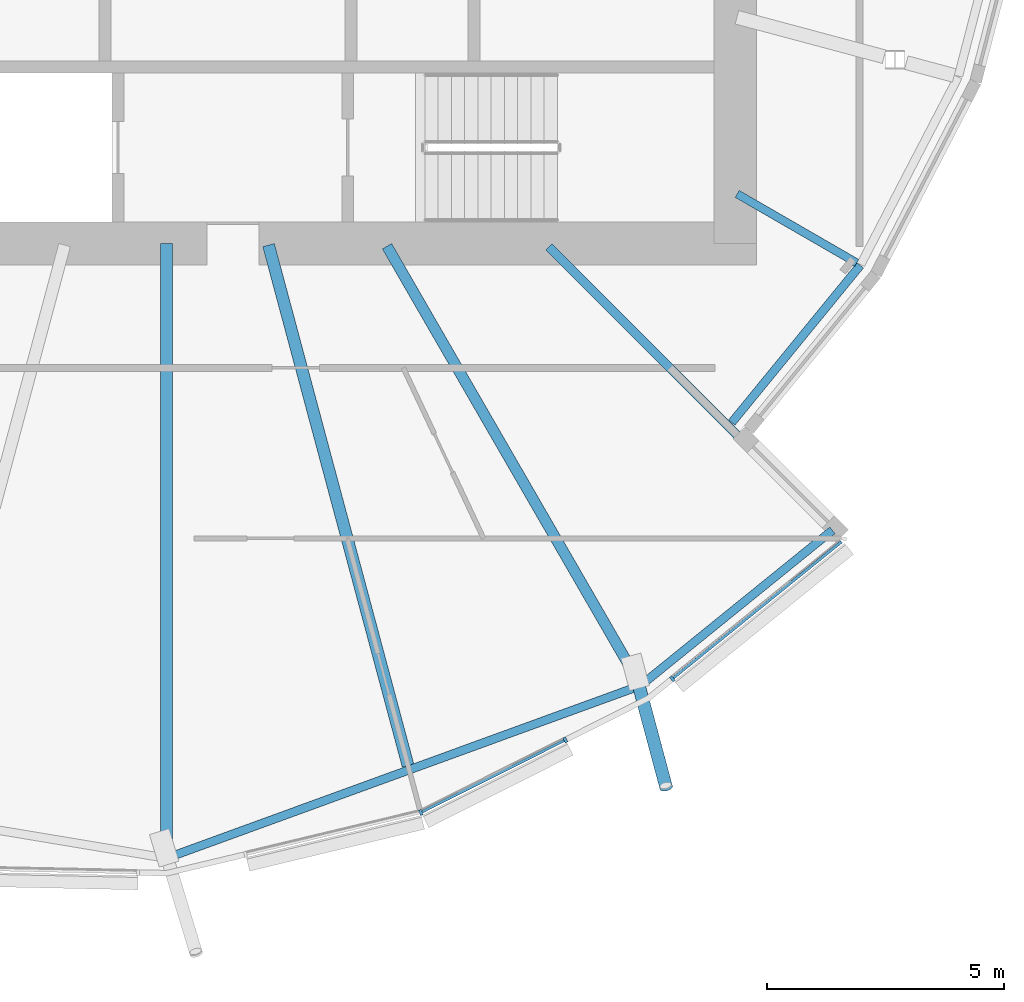
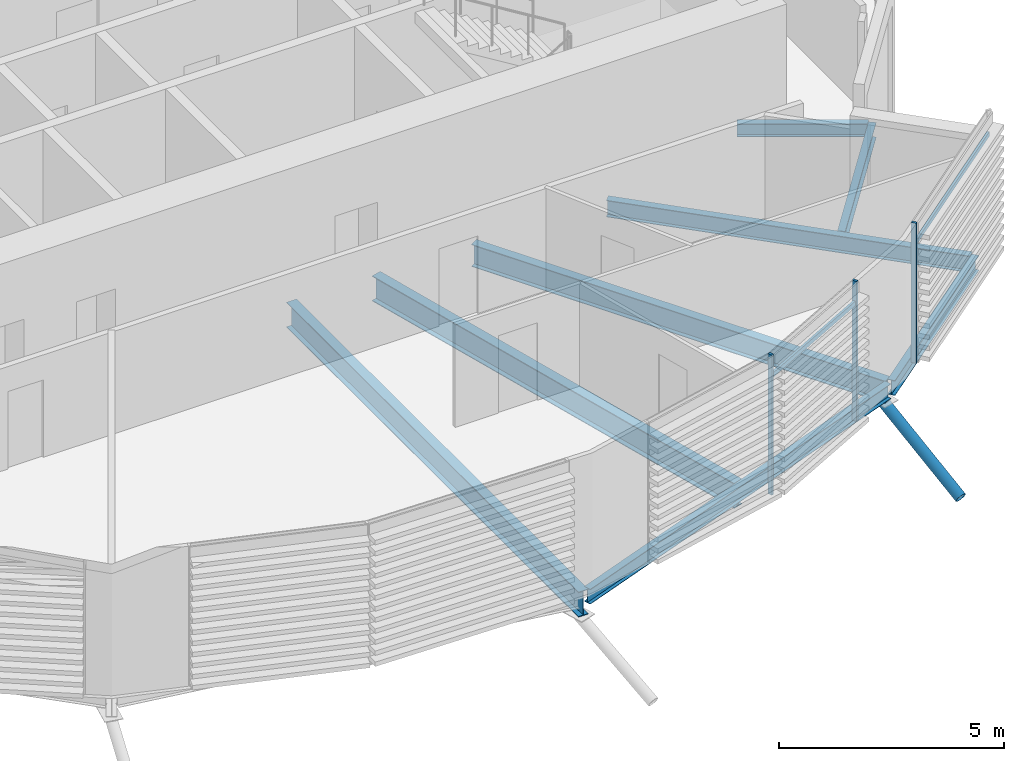
# One storey, part 14 of 37: 8 beams, 6 members, 1 element without a shape of its own.
"""IFC4 building model written with IfcOpenShell, lengths in metres."""

from ifc_helpers import new_model, si_unit, direction, frame, origin, origin_2d, place, context, subcontext, project, spatial, rectangle, hollow_circle, i_section, extrude, clip, halfspace, material, material_profile, profile_set, type_object, element, aggregate, save


model = new_model("IFC4")

# Units and contexts
model_context = context("Model", 3, precision=1e-05, world=origin(), true_north=direction((0.0, 1.0)))
body_context = subcontext(model_context, "Body", "Model", "MODEL_VIEW")
ifc_project = project(units=[si_unit("LENGTHUNIT", "METRE"), si_unit("AREAUNIT", "SQUARE_METRE"), si_unit("VOLUMEUNIT", "CUBIC_METRE"), si_unit("PLANEANGLEUNIT", "RADIAN"), si_unit("MASSUNIT", "GRAM", prefix="KILO")], contexts=[model_context])

# Site, building, storey
site_placement = place(None, origin())
site = spatial("IfcSite", under=ifc_project, at=site_placement, CompositionType="ELEMENT")
building_placement = place(site_placement, origin())
building = spatial("IfcBuilding", under=site, at=building_placement, Name="Rimbun Link Towers", CompositionType="ELEMENT")
storey_placement = place(building_placement, frame((0.0, 0.0, 45.199951171875)))
storey = spatial("IfcBuildingStorey", under=building, at=storey_placement, Name="L10", CompositionType="ELEMENT", Elevation=45.199951171875)

# Curtain wall, members
ifc_material_1 = material(Name="Aluminium 6063-T6 and low-iron glass", Category="aluminium")
curtain_wall_type = type_object("IfcCurtainWallType", Name="CW1 unitised vision wall", PredefinedType="NOTDEFINED", material=ifc_material_1)
curtain_wall_placement = place(storey_placement, origin())
curtain_wall = element("IfcCurtainWall", 1, at=curtain_wall_placement, inside=storey, type_object=curtain_wall_type, Name="CW1 L10 T2", PredefinedType="NOTDEFINED")
ifc_material_2 = material(Name="Aluminium 6063-T6", Category="aluminium")
ifc_material_profile_1 = material_profile(ifc_material_2, rectangle(XDim=0.1201171875, YDim=0.06005859375, at=origin_2d()), Name="MULLION 60X120")
ifc_profile_set_1 = profile_set([ifc_material_profile_1], Name="Aluminium 6063-T6")
member_type_1 = type_object("IfcMemberType", Name="CW1 mullion 60X120", PredefinedType="MULLION", material=ifc_profile_set_1)
member_1_placement = place(storey_placement, frame((37.116943359375, -20.009521484375, 0.0), z_axis=(0.0, 0.0, 1.0), x_axis=(0.342965819961, -0.939347883555, 0.0)))
member_1 = element("IfcMember", 2, at=member_1_placement, type_object=member_type_1, Name="CW1 mullion", PredefinedType="MULLION", context=body_context, shape_type="SweptSolid", body=[
    extrude(rectangle(XDim=0.1201171875, YDim=0.06005859375, at=origin_2d()), origin(), (0.0, 0.0, 1.0), 3.800048828125),
])
member_2_placement = place(storey_placement, frame((40.166748046875, -18.478515625, 0.0), z_axis=(0.0, 0.0, 1.0), x_axis=(0.448766443776, -0.893649080423, 0.0)))
member_2 = element("IfcMember", 3, at=member_2_placement, type_object=member_type_1, Name="CW1 mullion", PredefinedType="MULLION", context=body_context, shape_type="SweptSolid", body=[
    extrude(rectangle(XDim=0.1201171875, YDim=0.06005859375, at=origin_2d()), origin(), (0.0, 0.0, 1.0), 3.800048828125),
])
member_3_placement = place(storey_placement, frame((42.42529296875, -17.1875, 0.0), z_axis=(0.0, 0.0, 1.0), x_axis=(0.629154590729, -0.777280194631, 0.0)))
member_3 = element("IfcMember", 4, at=member_3_placement, type_object=member_type_1, Name="CW1 mullion", PredefinedType="MULLION", context=body_context, shape_type="SweptSolid", body=[
    extrude(rectangle(XDim=0.1201171875, YDim=0.06005859375, at=origin_2d()), origin(), (0.0, 0.0, 1.0), 3.800048828125),
])
ifc_material_3 = material(Name="Aluminium 6063-T6", Category="aluminium")
ifc_material_profile_2 = material_profile(ifc_material_3, rectangle(XDim=0.06005859375, YDim=0.1201171875, at=origin_2d()), Name="TRANSOM 60X120")
ifc_profile_set_2 = profile_set([ifc_material_profile_2], Name="Aluminium 6063-T6")
member_type_2 = type_object("IfcMemberType", Name="CW1 transom 60X120", PredefinedType="USERDEFINED", material=ifc_profile_set_2)
member_4_placement = place(storey_placement, frame((40.138916015625, -18.490234375, 3.199951171875), z_axis=(-0.893666950179, -0.448730857149, 0.0), x_axis=(0.448730857149, -0.893666950179, 0.0)))
member_4 = element("IfcMember", 5, at=member_4_placement, type_object=member_type_2, Name="CW1 transom", ObjectType="TRANSOM", PredefinedType="USERDEFINED", context=body_context, shape_type="SweptSolid", body=[
    extrude(rectangle(XDim=0.06005859375, YDim=0.1201171875, at=origin_2d()), origin(), (0.0, 0.0, 1.0), 3.345458984375),
])
member_5_placement = place(storey_placement, frame((45.994873046875, -14.295654296875, 3.199951171875), z_axis=(-0.777280996809, -0.629153599688, 0.0), x_axis=(0.629153599688, -0.777280996809, 0.0)))
member_5 = element("IfcMember", 6, at=member_5_placement, type_object=member_type_2, Name="CW1 transom", ObjectType="TRANSOM", PredefinedType="USERDEFINED", context=body_context, shape_type="SweptSolid", body=[
    extrude(rectangle(XDim=0.06005859375, YDim=0.1201171875, at=origin_2d()), origin(), (0.0, 0.0, 1.0), 4.563720703125),
])
aggregate(curtain_wall, [member_1, member_2, member_3, member_4, member_5])

# Member
ifc_material_4 = material(Name="Steel S355J2H", Category="steel")
ifc_material_profile_3 = material_profile(ifc_material_4, hollow_circle(Radius=0.136474609375, WallThickness=0.012451171875, at=origin_2d()), Name="CHS 273x12.5")
ifc_profile_set_3 = profile_set([ifc_material_profile_3], Name="Steel S355J2H")
member_type_3 = type_object("IfcMemberType", Name="Floor edge link CHS 273x12.5", PredefinedType="BRACE", material=ifc_profile_set_3)
member_6_placement = place(storey_placement, frame((41.685302734375, -17.20849609375, -0.880615234375), z_axis=(0.224363770028, -0.837211746905, -0.49873579132), x_axis=(0.965916146238, 0.258855168842, 0.0)))
element("IfcMember", 7, at=member_6_placement, inside=storey, type_object=member_type_3, Name="Floor edge link T2 L10 17", PredefinedType="BRACE", context=body_context, shape_type="Clipping", body=[
    clip(extrude(hollow_circle(Radius=0.136474609375, WallThickness=0.012451171875, at=origin_2d()), frame((0.0, 0.0, -0.494384765625)), (0.0, 0.0, 1.0), 3.2138671875), halfspace(frame((0.0, 0.0, -0.232666015625), z_axis=(0.0, 0.866754065728, -0.49873579132)), False)),
])

# Beams
ifc_material_5 = material(Name="Steel S355J2", Category="steel")
ifc_material_profile_4 = material_profile(ifc_material_5, i_section(OverallWidth=0.17138671875, OverallDepth=0.35498046875, WebThickness=0.00732421875, FlangeThickness=0.011474609375, at=origin_2d()), Name="UB 356x171x51")
ifc_profile_set_4 = profile_set([ifc_material_profile_4], Name="Steel S355J2")
beam_type_1 = type_object("IfcBeamType", Name="UB 356x171x51", PredefinedType="BEAM", material=ifc_profile_set_4)
beam_1_placement = place(storey_placement, frame((43.793701171875, -6.95361328125, -0.33740234375), z_axis=(0.866048875712, -0.499959343224, 0.0), x_axis=(0.499959343224, 0.866048875712, 0.0)))
element("IfcBeam", 8, at=beam_1_placement, inside=storey, type_object=beam_type_1, Name="Radial beam T2 L10 19", PredefinedType="BEAM", context=body_context, shape_type="SweptSolid", body=[
    extrude(i_section(OverallWidth=0.17138671875, OverallDepth=0.35498046875, WebThickness=0.00732421875, FlangeThickness=0.011474609375, at=origin_2d()), origin(), (0.0, 0.0, 1.0), 2.914306640625),
])
ifc_material_6 = material(Name="Steel S355J2", Category="steel")
ifc_material_profile_5 = material_profile(ifc_material_6, i_section(OverallWidth=0.177978515625, OverallDepth=0.406494140625, WebThickness=0.0078125, FlangeThickness=0.0126953125, at=origin_2d()), Name="UB 406x178x60")
ifc_profile_set_5 = profile_set([ifc_material_profile_5], Name="Steel S355J2")
beam_type_2 = type_object("IfcBeamType", Name="UB 406x178x60", PredefinedType="BEAM", material=ifc_profile_set_5)
beam_2_placement = place(storey_placement, frame((31.877685546875, -20.92822265625, -0.363037109375), z_axis=(0.939626011614, 0.342203095103, 0.0), x_axis=(-0.342203095103, 0.939626011614, 0.0)))
element("IfcBeam", 9, at=beam_2_placement, inside=storey, type_object=beam_type_2, Name="Edge beam T2 L10 15-17", PredefinedType="BEAM", context=body_context, shape_type="SweptSolid", body=[
    extrude(i_section(OverallWidth=0.177978515625, OverallDepth=0.406494140625, WebThickness=0.0078125, FlangeThickness=0.0126953125, at=origin_2d()), origin(), (0.0, 0.0, 1.0), 10.396240234375),
])
beam_3_placement = place(storey_placement, frame((41.756591796875, -17.330078125, -0.363037109375), z_axis=(0.77728746002, 0.629145614699, 0.0), x_axis=(-0.629145614699, 0.77728746002, 0.0)))
element("IfcBeam", 10, at=beam_3_placement, inside=storey, type_object=beam_type_2, Name="Edge beam T2 L10 17", PredefinedType="BEAM", context=body_context, shape_type="SweptSolid", body=[
    extrude(i_section(OverallWidth=0.177978515625, OverallDepth=0.406494140625, WebThickness=0.0078125, FlangeThickness=0.0126953125, at=origin_2d()), origin(), (0.0, 0.0, 1.0), 5.2060546875),
])
beam_4_placement = place(storey_placement, frame((43.6787109375, -11.7802734375, -0.363037109375), z_axis=(0.632828006599, 0.774292395717, 0.0), x_axis=(-0.774292395717, 0.632828006599, 0.0)))
element("IfcBeam", 11, at=beam_4_placement, inside=storey, type_object=beam_type_2, Name="Edge beam T2 L10 18 recess", PredefinedType="BEAM", context=body_context, shape_type="SweptSolid", body=[
    extrude(i_section(OverallWidth=0.177978515625, OverallDepth=0.406494140625, WebThickness=0.0078125, FlangeThickness=0.0126953125, at=origin_2d()), origin(), (0.0, 0.0, 1.0), 4.283447265625),
])
ifc_material_7 = material(Name="Steel S355J2", Category="steel")
ifc_material_profile_6 = material_profile(ifc_material_7, i_section(OverallWidth=0.18994140625, OverallDepth=0.453369140625, WebThickness=0.008544921875, FlangeThickness=0.0126953125, at=origin_2d()), Name="UB 457x191x67")
ifc_profile_set_6 = profile_set([ifc_material_profile_6], Name="Steel S355J2")
beam_type_3 = type_object("IfcBeamType", Name="UB 457x191x67", PredefinedType="BEAM", material=ifc_profile_set_6)
beam_5_placement = place(storey_placement, frame((39.81787109375, -8.06787109375, -0.38671875), z_axis=(0.707106781187, -0.707106781187, 0.0), x_axis=(0.707106781187, 0.707106781187, 0.0)))
element("IfcBeam", 12, at=beam_5_placement, inside=storey, type_object=beam_type_3, Name="Radial beam T2 L10 18", PredefinedType="BEAM", context=body_context, shape_type="SweptSolid", body=[
    extrude(i_section(OverallWidth=0.18994140625, OverallDepth=0.453369140625, WebThickness=0.008544921875, FlangeThickness=0.0126953125, at=origin_2d()), origin(), (0.0, 0.0, 1.0), 8.375244140625),
])
ifc_material_8 = material(Name="Steel S355J2", Category="steel")
ifc_material_profile_7 = material_profile(ifc_material_8, i_section(OverallWidth=0.2275390625, OverallDepth=0.6025390625, WebThickness=0.010498046875, FlangeThickness=0.014892578125, at=origin_2d()), Name="UB 610x229x101")
ifc_profile_set_7 = profile_set([ifc_material_profile_7], Name="Steel S355J2")
beam_type_4 = type_object("IfcBeamType", Name="UB 610x229x101", PredefinedType="BEAM", material=ifc_profile_set_7)
beam_6_placement = place(storey_placement, frame((36.402099609375, -8.057861328125, -0.461181640625), z_axis=(0.500002476143, -0.866023974178, 0.0), x_axis=(0.866023974178, 0.500002476143, 0.0)))
element("IfcBeam", 13, at=beam_6_placement, inside=storey, type_object=beam_type_4, Name="Radial beam T2 L10 17", PredefinedType="BEAM", context=body_context, shape_type="SweptSolid", body=[
    extrude(i_section(OverallWidth=0.2275390625, OverallDepth=0.6025390625, WebThickness=0.010498046875, FlangeThickness=0.014892578125, at=origin_2d()), origin(), (0.0, 0.0, 1.0), 10.6162109375),
])
ifc_material_9 = material(Name="Steel S355J2", Category="steel")
ifc_material_profile_8 = material_profile(ifc_material_9, i_section(OverallWidth=0.253662109375, OverallDepth=0.68359375, WebThickness=0.012451171875, FlangeThickness=0.01904296875, at=origin_2d()), Name="UB 686x254x140")
ifc_profile_set_8 = profile_set([ifc_material_profile_8], Name="Steel S355J2")
beam_type_5 = type_object("IfcBeamType", Name="UB 686x254x140", PredefinedType="BEAM", material=ifc_profile_set_8)
beam_7_placement = place(storey_placement, frame((31.75, -8.0009765625, -0.501708984375), z_axis=(0.0, -1.0, 0.0), x_axis=(1.0, 0.0, 0.0)))
element("IfcBeam", 14, at=beam_7_placement, inside=storey, type_object=beam_type_5, Name="Radial beam T2 L10 15", PredefinedType="BEAM", context=body_context, shape_type="SweptSolid", body=[
    extrude(i_section(OverallWidth=0.253662109375, OverallDepth=0.68359375, WebThickness=0.012451171875, FlangeThickness=0.01904296875, at=origin_2d()), origin(), (0.0, 0.0, 1.0), 12.973876953125),
])
beam_8_placement = place(storey_placement, frame((33.902587890625, -8.03369140625, -0.501708984375), z_axis=(0.25882583061, -0.965924008092, 0.0), x_axis=(0.965924008092, 0.25882583061, 0.0)))
element("IfcBeam", 15, at=beam_8_placement, inside=storey, type_object=beam_type_5, Name="Radial beam T2 L10 16", PredefinedType="BEAM", context=body_context, shape_type="SweptSolid", body=[
    extrude(i_section(OverallWidth=0.253662109375, OverallDepth=0.68359375, WebThickness=0.012451171875, FlangeThickness=0.01904296875, at=origin_2d()), origin(), (0.0, 0.0, 1.0), 11.376708984375),
])

save(model, "model.ifc")
